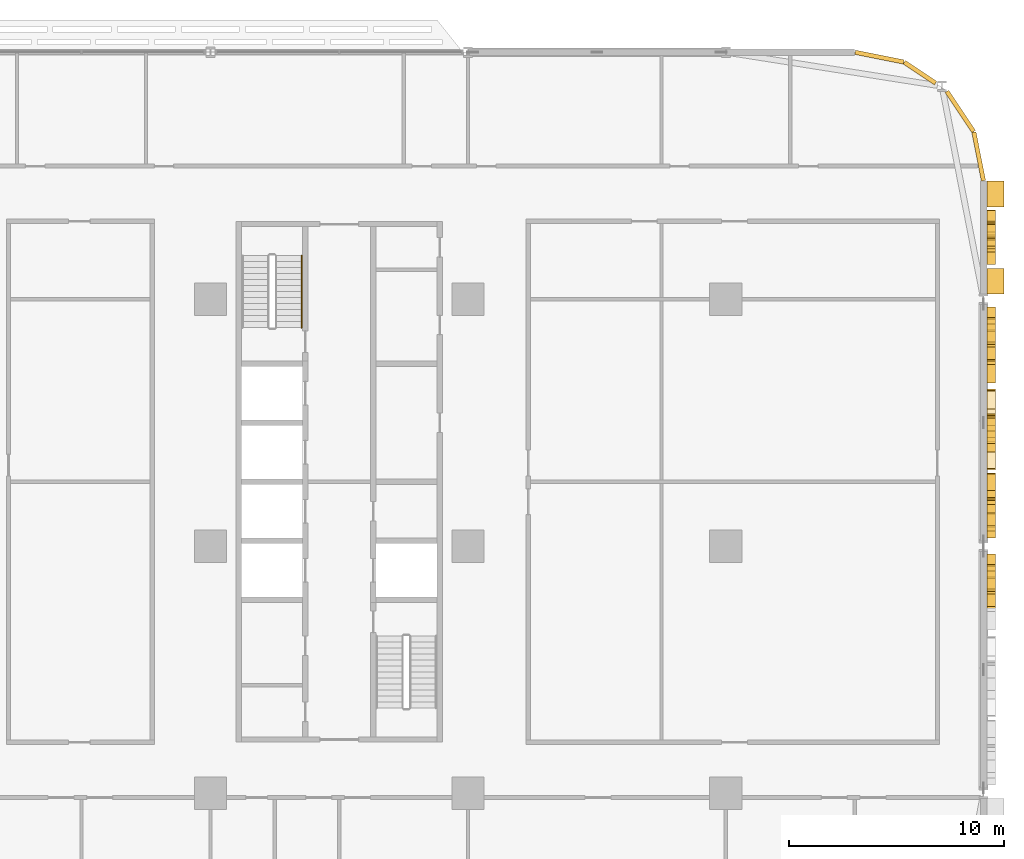
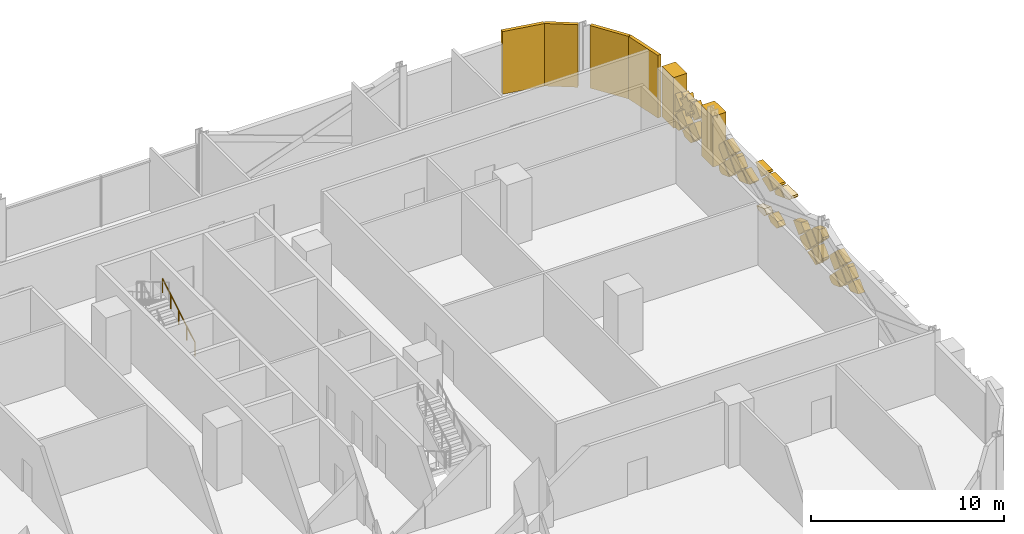
# One storey, part 30 of 30: 39 coverings, 1 railing.
"""IFC4 building model written with IfcOpenShell, lengths in metres."""

import ifcopenshell
import ifcopenshell.guid

model = None  # the IFC model being written
_history = None  # IfcOwnerHistory: only IFC2X3 demands one
_inside = {}  # id of a spatial element -> (the spatial element, [elements in it])
_under = {}  # id of a project, library or spatial element -> (it, [spatial elements below it])
_declared = {}  # id of a project -> (the project, [libraries it declares])
_typed = {}  # id of a type object -> (the type object, [elements of that type])
_made_of = {}  # id of a material, layer set ... -> (it, [elements and type objects made of it])


def new_model(schema):
    """Start an empty IFC model of exactly this schema.

    Asked for "IFC4X3", IfcOpenShell would pick the latest addendum, in which some entities
    have other attributes; the version numbers below select the first issue.
    IFC2X3 requires an IfcOwnerHistory on every rooted entity: one is made here for all.
    """
    global model, _history
    if schema == "IFC4X3":
        model = ifcopenshell.file(schema_version=(4, 3, 0, 0))
    else:
        model = ifcopenshell.file(schema=schema)
    _inside.clear()
    _under.clear()
    _declared.clear()
    _typed.clear()
    _made_of.clear()
    _history = None
    if model.schema == "IFC2X3":
        org = make("IfcOrganization", Name="unknown")
        user = make(
            "IfcPersonAndOrganization",
            ThePerson=make("IfcPerson", FamilyName="unknown"),
            TheOrganization=org,
        )
        app = make(
            "IfcApplication",
            ApplicationDeveloper=org,
            Version="unknown",
            ApplicationFullName="unknown",
            ApplicationIdentifier="unknown",
        )
        _history = make(
            "IfcOwnerHistory",
            OwningUser=user,
            OwningApplication=app,
            ChangeAction="ADDED",
            CreationDate=0,
        )
    return model


def make(cls, **values):
    """One entity of the class cls with the attributes given. An attribute that is None is left unset."""
    return model.create_entity(
        cls, **{name: value for name, value in values.items() if value is not None}
    )


def rooted(cls, **values):
    """An entity with a GlobalId (a new one), such as an element, a storey or a relation."""
    return make(cls, GlobalId=ifcopenshell.guid.new(), OwnerHistory=_history, **values)


def si_unit(unit_type, name, prefix=None):
    """IfcSIUnit, for example si_unit("LENGTHUNIT", "METRE", prefix="MILLI")."""
    return make("IfcSIUnit", UnitType=unit_type, Prefix=prefix, Name=name)


def assignment(units):
    """IfcUnitAssignment: the units of a project."""
    return None if units is None else make("IfcUnitAssignment", Units=units)


def point(xyz):
    """IfcCartesianPoint."""
    return None if xyz is None else make("IfcCartesianPoint", Coordinates=xyz)


def direction(xyz):
    """IfcDirection."""
    return None if xyz is None else make("IfcDirection", DirectionRatios=xyz)


def frame(location, z_axis=None, x_axis=None):
    """IfcAxis2Placement3D, a coordinate frame: its origin and axes. An axis left out is left unset."""
    return make(
        "IfcAxis2Placement3D",
        Location=point(location),
        Axis=direction(z_axis),
        RefDirection=direction(x_axis),
    )


def frame_2d(location, x_axis=None):
    """IfcAxis2Placement2D, a coordinate frame in the plane: its origin and x axis."""
    return make(
        "IfcAxis2Placement2D", Location=point(location), RefDirection=direction(x_axis)
    )


def origin():
    """The frame at (0, 0, 0) with its axes left unset."""
    return frame((0.0, 0.0, 0.0))


def origin_2d():
    """The frame at (0, 0) in the plane with its x axis left unset."""
    return frame_2d((0.0, 0.0))


def place(relative_to, where):
    """IfcLocalPlacement: puts the frame where relative to a parent placement (None: the world)."""
    return make(
        "IfcLocalPlacement", PlacementRelTo=relative_to, RelativePlacement=where
    )


def context(
    kind, dimensions, precision=None, world=None, true_north=None, identifier=None
):
    """IfcGeometricRepresentationContext, for example the 3D "Model" context."""
    return make(
        "IfcGeometricRepresentationContext",
        ContextIdentifier=identifier,
        ContextType=kind,
        CoordinateSpaceDimension=dimensions,
        Precision=precision,
        WorldCoordinateSystem=world,
        TrueNorth=true_north,
    )


def subcontext(parent, identifier, kind, view, scale=None):
    """IfcGeometricRepresentationSubContext, for example "Body" below "Model"."""
    return make(
        "IfcGeometricRepresentationSubContext",
        ContextIdentifier=identifier,
        ContextType=kind,
        ParentContext=parent,
        TargetScale=scale,
        TargetView=view,
    )


def project(units=None, contexts=None):
    """IfcProject with its units and contexts."""
    return rooted(
        "IfcProject",
        Name="project",
        RepresentationContexts=contexts,
        UnitsInContext=assignment(units),
    )


def spatial(cls, under=None, at=None, **own):
    """A site, building, storey or space (cls), placed at a placement, below another one or the project."""
    s = rooted(cls, ObjectPlacement=at, **own)
    if under is not None:
        _under.setdefault(under.id(), (under, []))[1].append(s)
    return s


def polyline(points):
    """IfcPolyline through the points."""
    return make("IfcPolyline", Points=[point(p) for p in points])


def profile(cls, at=None, kind="AREA", **sizes):
    """A parametric profile (cls). Its sizes go by their IFC names, for example OverallWidth=200.0."""
    return make(cls, ProfileType=kind, Position=at, **sizes)


def rectangle(**sizes):
    """IfcRectangleProfileDef."""
    return profile("IfcRectangleProfileDef", **sizes)


def circle(**sizes):
    """IfcCircleProfileDef."""
    return profile("IfcCircleProfileDef", **sizes)


def outline(outer, holes=None, kind="AREA"):
    """IfcArbitraryClosedProfileDef: a profile drawn as a closed curve; with holes, ...WithVoids."""
    if holes is None:
        return make("IfcArbitraryClosedProfileDef", ProfileType=kind, OuterCurve=outer)
    return make(
        "IfcArbitraryProfileDefWithVoids",
        ProfileType=kind,
        OuterCurve=outer,
        InnerCurves=holes,
    )


def extrude(swept, where, along, depth):
    """IfcExtrudedAreaSolid: the profile swept, set in the frame where, extruded along a direction by depth."""
    return make(
        "IfcExtrudedAreaSolid",
        SweptArea=swept,
        Position=where,
        ExtrudedDirection=direction(along),
        Depth=depth,
    )


def shape(context_of_items, identifier, shape_type, items):
    """IfcShapeRepresentation: the items that make up one representation, for example the "Body"."""
    return make(
        "IfcShapeRepresentation",
        ContextOfItems=context_of_items,
        RepresentationIdentifier=identifier,
        RepresentationType=shape_type,
        Items=items,
    )


def material(Name=None, Category=None):
    """IfcMaterial."""
    return make("IfcMaterial", Name=Name, Category=Category)


def layer(
    of_material, thickness, ventilated=None, Name=None, Category=None, Priority=None
):
    """IfcMaterialLayer: one layer of a wall or slab, of a material (None: an air gap)."""
    return make(
        "IfcMaterialLayer",
        Material=of_material,
        LayerThickness=thickness,
        IsVentilated=ventilated,
        Name=Name,
        Category=Category,
        Priority=Priority,
    )


def layer_set(layers, Name=None):
    """IfcMaterialLayerSet."""
    return make("IfcMaterialLayerSet", MaterialLayers=layers, LayerSetName=Name)


def made_of(thing, what):
    """Note that an element or type object is made of a material, layer set ...; save() writes the relation."""
    if what is not None:
        _made_of.setdefault(what.id(), (what, []))[1].append(thing)
    return thing


def type_object(cls, material=None, **own):
    """A type object (cls), such as IfcWallType, which elements share."""
    return made_of(rooted(cls, **own), material)


def element(
    cls,
    number,
    at=None,
    inside=None,
    cuts=None,
    type_object=None,
    material=None,
    context=None,
    identifier="Body",
    shape_type=None,
    held_by="IfcProductDefinitionShape",
    body=None,
    shapes=None,
    **own,
):
    """One element of the class cls, such as IfcWall. Its Tag is "e" and its number.

    at: its placement. inside: the storey or other place that contains it. cuts: it is an
    opening in that element (IfcRelVoidsElement). A single representation is given by context,
    identifier, shape_type and body (its items); several are given by shapes. held_by: the class
    of the entity that holds the representations. save() writes the other relations.
    """
    e = rooted(cls, Tag="e%d" % number, ObjectPlacement=at, **own)
    if body is not None:
        shapes = [shape(context, identifier, shape_type, body)]
    if shapes is not None:
        e.Representation = make(held_by, Representations=shapes)
    if inside is not None:
        _inside.setdefault(inside.id(), (inside, []))[1].append(e)
    if cuts is not None:
        rooted(
            "IfcRelVoidsElement", RelatingBuildingElement=cuts, RelatedOpeningElement=e
        )
    if type_object is not None:
        _typed.setdefault(type_object.id(), (type_object, []))[1].append(e)
    return made_of(e, material)


def aggregate(whole, parts):
    """IfcRelAggregates: a whole, such as a stair, and the parts it consists of."""
    return rooted("IfcRelAggregates", RelatingObject=whole, RelatedObjects=parts)


def save(model, path):
    """Write the relations noted so far, then the file.

    IfcRelAggregates (storeys below a building ...), IfcRelContainedInSpatialStructure (elements
    in a storey), IfcRelDefinesByType, IfcRelAssociatesMaterial and IfcRelDeclares: one each for
    every whole, place, type object, material and project.
    """
    for whole, parts in _under.values():
        aggregate(whole, parts)
    for where, things in _inside.values():
        rooted(
            "IfcRelContainedInSpatialStructure",
            RelatedElements=things,
            RelatingStructure=where,
        )
    for kind, things in _typed.values():
        rooted("IfcRelDefinesByType", RelatedObjects=things, RelatingType=kind)
    for what, things in _made_of.values():
        rooted("IfcRelAssociatesMaterial", RelatedObjects=things, RelatingMaterial=what)
    for by, libraries in _declared.values():
        rooted("IfcRelDeclares", RelatingContext=by, RelatedDefinitions=libraries)
    model.write(path)


model = new_model("IFC4")

# Units and contexts
model_context = context("Model", 3, precision=1e-05, world=origin(), true_north=direction((0.0, 1.0)))
body_context = subcontext(model_context, "Body", "Model", "MODEL_VIEW")
ifc_project = project(units=[si_unit("LENGTHUNIT", "METRE"), si_unit("AREAUNIT", "SQUARE_METRE"), si_unit("VOLUMEUNIT", "CUBIC_METRE"), si_unit("PLANEANGLEUNIT", "RADIAN"), si_unit("MASSUNIT", "GRAM", prefix="KILO")], contexts=[model_context])

# Site, building, storey
site_placement = place(None, origin())
site = spatial("IfcSite", under=ifc_project, at=site_placement, CompositionType="ELEMENT")
building_placement = place(site_placement, origin())
building = spatial("IfcBuilding", under=site, at=building_placement, Name="Mahtab Terrace Research Tower", CompositionType="ELEMENT")
storey_placement = place(building_placement, frame((0.0, 0.0, 50.300048828125)))
storey = spatial("IfcBuildingStorey", under=building, at=storey_placement, Name="L11", CompositionType="ELEMENT", Elevation=50.300048828125)

# Coverings
ifc_material_1 = material(Name="Black aluminium cladding panel", Category="aluminium")
ifc_layer_1 = layer(ifc_material_1, 0.199951171875)
ifc_layer_set_1 = layer_set([ifc_layer_1], Name="Black metal corner cladding 200")
covering_type_1 = type_object("IfcCoveringType", Name="Black metal corner cladding 200", PredefinedType="CLADDING", material=ifc_layer_set_1)
covering_1_placement = place(storey_placement, frame((52.911376953125, 20.2421875, 0.0), z_axis=(0.0, 0.0, 1.0), x_axis=(-0.555291490808, 0.831655794326, 0.0)))
element("IfcCovering", 1, at=covering_1_placement, inside=storey, type_object=covering_type_1, Name="Corner cladding L11 0", PredefinedType="CLADDING", context=body_context, shape_type="SweptSolid", body=[
    extrude(rectangle(XDim=2.235595703125, YDim=0.199951171875, at=origin_2d()), origin(), (0.0, 0.0, 1.0), 3.9599609375),
])
covering_2_placement = place(storey_placement, frame((51.0380859375, 22.047607421875, 0.0), z_axis=(0.0, 0.0, 1.0), x_axis=(-0.831655794326, 0.555291490808, 0.0)))
element("IfcCovering", 2, at=covering_2_placement, inside=storey, type_object=covering_type_1, Name="Corner cladding L11 1", PredefinedType="CLADDING", context=body_context, shape_type="SweptSolid", body=[
    extrude(rectangle(XDim=1.74462890625, YDim=0.199951171875, at=origin_2d()), origin(), (0.0, 0.0, 1.0), 3.9599609375),
])
for number, where, z_axis, x_axis, name in (
    (3, (49.14794921875, 22.771484375, 0.0), (0.0, 0.0, 1.0), (-0.980760981187, 0.195212442692, 0.0), "Corner cladding L11 2"),
    (4, (53.771484375, 18.14794921875, 0.0), (0.0, 0.0, 1.0), (-0.195212442692, 0.980760981187, 0.0), "Corner cladding L11 39"),
):
    element("IfcCovering", number, at=place(storey_placement, frame(where, z_axis=z_axis, x_axis=x_axis)), inside=storey, type_object=covering_type_1, Name=name, PredefinedType="CLADDING", context=body_context, shape_type="SweptSolid", body=[
        extrude(rectangle(XDim=2.30126953125, YDim=0.199951171875, at=origin_2d()), origin(), (0.0, 0.0, 1.0), 3.9599609375),
    ])
ifc_material_2 = material(Name="Bronze anodised aluminium", Category="aluminium")
ifc_layer_2 = layer(ifc_material_2, 0.39990234375)
ifc_layer_set_2 = layer_set([ifc_layer_2], Name="Mashrabiya relief panel 400")
covering_type_2 = type_object("IfcCoveringType", Name="Mashrabiya relief panel 400", PredefinedType="CLADDING", material=ifc_layer_set_2)
covering_3_placement = place(storey_placement, frame((54.14990234375, -2.81201171875, 1.6298828125), z_axis=(-1.0, 0.0, 0.0), x_axis=(0.0, 0.707255598772, -0.706957932274)))
element("IfcCovering", 5, at=covering_3_placement, inside=storey, type_object=covering_type_2, Name="Mashrabiya lattice cell L11 E36.15", PredefinedType="CLADDING", context=body_context, shape_type="SweptSolid", body=[
    extrude(outline(polyline([(0.0, 0.0), (0.8201817362875763, 0.0), (0.8202763558628046, 0.3706441343778155), (-0.00015653653229019682, 0.743705064910618), (0.0, 0.0)])), origin(), (0.0, 0.0, -1.0), 0.39990234375),
])
covering_4_placement = place(storey_placement, frame((54.14990234375, -1.58203125, 1.699951171875), z_axis=(-1.0, 0.0, 0.0), x_axis=(0.0, -0.707106781187, -0.707106781187)))
element("IfcCovering", 6, at=covering_4_placement, inside=storey, type_object=covering_type_2, Name="Mashrabiya lattice cell L11 E36.16", PredefinedType="CLADDING", context=body_context, shape_type="SweptSolid", body=[
    extrude(outline(polyline([(0.0, 0.0), (0.8203543516109556, 0.0), (0.820181718119455, 0.820181718119455), (0.1838546684481624, 0.8201817181194551), (0.0, 0.7367997417246546), (0.0, 0.0)])), origin(), (0.0, 0.0, -1.0), 0.39990234375),
])
covering_5_placement = place(storey_placement, frame((54.14990234375, -1.511962890625, 1.6298828125), z_axis=(-1.0, 0.0, 0.0), x_axis=(0.0, 0.707255598772, -0.706957932274)))
element("IfcCovering", 7, at=covering_5_placement, inside=storey, type_object=covering_type_2, Name="Mashrabiya lattice cell L11 E36.17", PredefinedType="CLADDING", context=body_context, shape_type="SweptSolid", body=[
    extrude(outline(polyline([(0.0, 0.0), (0.8201817362875763, 0.0), (0.8200090664636573, 0.8203543334390104), (-0.0003452669753531423, 0.8201816636150915), (0.0, 0.0)])), origin(), (0.0, 0.0, -1.0), 0.39990234375),
])
covering_6_placement = place(storey_placement, frame((54.14990234375, -0.931884765625, 2.349853515625), z_axis=(-1.0, 0.0, 0.0), x_axis=(0.0, -0.707255598772, -0.706957932274)))
element("IfcCovering", 8, at=covering_6_placement, inside=storey, type_object=covering_type_2, Name="Mashrabiya lattice cell L11 E36.18", PredefinedType="CLADDING", context=body_context, shape_type="SweptSolid", body=[
    extrude(outline(polyline([(0.0, 0.0), (0.8201817362875763, 0.0), (0.8203272992746595, 0.6915697516322971), (6.700403099887953e-05, 0.3183361512755756), (0.0, 0.0)])), origin(), (0.0, 0.0, -1.0), 0.39990234375),
])
covering_7_placement = place(storey_placement, frame((54.14990234375, -1.44189453125, 0.39990234375), z_axis=(-1.0, 0.0, 0.0), x_axis=(0.0, 0.706957932274, 0.707255598772)))
element("IfcCovering", 9, at=covering_7_placement, inside=storey, type_object=covering_type_2, Name="Mashrabiya lattice cell L11 E36.19", PredefinedType="CLADDING", context=body_context, shape_type="SweptSolid", body=[
    extrude(outline(polyline([(0.0, 0.0), (0.8201817362875763, 0.0), (0.820036173300493, 0.6915697516322971), (0.691224484656944, 0.8203272266021747), (0.4452218010540892, 0.8201028139690679), (0.3045551226352551, 0.6793769074751101), (0.0, 0.0)])), origin(), (0.0, 0.0, -1.0), 0.39990234375),
])
covering_8_placement = place(storey_placement, frame((54.14990234375, -0.862060546875, 1.119873046875), z_axis=(-1.0, 0.0, 0.0), x_axis=(0.0, -0.706957932274, 0.707255598772)))
element("IfcCovering", 10, at=covering_8_placement, inside=storey, type_object=covering_type_2, Name="Mashrabiya lattice cell L11 E36.20", PredefinedType="CLADDING", context=body_context, shape_type="SweptSolid", body=[
    extrude(outline(polyline([(0.0, 0.0), (0.8201817362875763, 0.0), (0.8205270032629295, 0.8201816636150915), (0.12895725163063232, 0.8203272266021746), (0.00014556298708318094, 0.6915697516322972), (0.0, 0.0)])), origin(), (0.0, 0.0, -1.0), 0.39990234375),
])
covering_9_placement = place(storey_placement, frame((54.14990234375, 0.887939453125, 1.6298828125), z_axis=(-1.0, 0.0, 0.0), x_axis=(0.0, 0.707255598772, -0.706957932274)))
element("IfcCovering", 11, at=covering_9_placement, inside=storey, type_object=covering_type_2, Name="Mashrabiya lattice cell L11 E37.1", PredefinedType="CLADDING", context=body_context, shape_type="SweptSolid", body=[
    extrude(outline(polyline([(0.0, 0.0), (0.8201817362875763, 0.0), (0.8200090664636573, 0.8203543334390104), (0.09184101544392964, 0.8202010671685369), (-0.0001532662704735177, 0.7281680510197277), (0.0, 0.0)])), origin(), (0.0, 0.0, -1.0), 0.39990234375),
])
covering_10_placement = place(storey_placement, frame((54.14990234375, 1.468017578125, 2.349853515625), z_axis=(-1.0, 0.0, 0.0), x_axis=(0.0, -0.707255598772, -0.706957932274)))
element("IfcCovering", 12, at=covering_10_placement, inside=storey, type_object=covering_type_2, Name="Mashrabiya lattice cell L11 E37.2", PredefinedType="CLADDING", context=body_context, shape_type="SweptSolid", body=[
    extrude(outline(polyline([(0.0, 0.0), (0.8201817362875763, 0.0), (0.8203350025580498, 0.7281680510197277), (0.7283407208436468, 0.8202010671685369), (0.2632661050429956, 0.8202989570055819), (5.15247917333983e-05, 0.24479428552536128), (0.0, 0.0)])), origin(), (0.0, 0.0, -1.0), 0.39990234375),
])
covering_11_placement = place(storey_placement, frame((54.14990234375, 0.9580078125, 0.39990234375), z_axis=(-1.0, 0.0, 0.0), x_axis=(0.0, 0.707106781187, 0.707106781187)))
element("IfcCovering", 13, at=covering_11_placement, inside=storey, type_object=covering_type_2, Name="Mashrabiya lattice cell L11 E37.3", PredefinedType="CLADDING", context=body_context, shape_type="SweptSolid", body=[
    extrude(outline(polyline([(0.0, 0.0), (0.8203543516109556, 0.0), (0.8203543516109556, 0.5641662502240327), (0.0, 0.1909326415996879), (0.0, 0.0)])), origin(), (0.0, 0.0, -1.0), 0.39990234375),
])
covering_12_placement = place(storey_placement, frame((54.14990234375, 1.5380859375, 2.280029296875), z_axis=(-1.0, 0.0, 0.0), x_axis=(0.0, 0.706957932274, -0.707255598772)))
element("IfcCovering", 14, at=covering_12_placement, inside=storey, type_object=covering_type_2, Name="Mashrabiya lattice cell L11 E37.4", PredefinedType="CLADDING", context=body_context, shape_type="SweptSolid", body=[
    extrude(outline(polyline([(0.0, 0.0), (0.8201817362875763, 0.0), (0.8205270032629295, 0.8201816636150915), (0.00017266982391900276, 0.8203543334390104), (0.0, 0.0)])), origin(), (0.0, 0.0, -1.0), 0.39990234375),
])
covering_13_placement = place(storey_placement, frame((54.14990234375, 1.60791015625, 1.050048828125), z_axis=(-1.0, 0.0, 0.0), x_axis=(0.0, 0.707255598772, 0.706957932274)))
element("IfcCovering", 15, at=covering_13_placement, inside=storey, type_object=covering_type_2, Name="Mashrabiya lattice cell L11 E37.5", PredefinedType="CLADDING", context=body_context, shape_type="SweptSolid", body=[
    extrude(outline(polyline([(0.0, 0.0), (0.8201817362875763, 0.0), (0.8205270032629295, 0.8201816636150915), (0.4611040819203327, 0.8202573156717833), (0.00012833960818220413, 0.6097414784736079), (0.0, 0.0)])), origin(), (0.0, 0.0, -1.0), 0.39990234375),
])
covering_14_placement = place(storey_placement, frame((54.14990234375, 3.41796875, 1.699951171875), z_axis=(-1.0, 0.0, 0.0), x_axis=(0.0, -0.707106781187, -0.707106781187)))
element("IfcCovering", 16, at=covering_14_placement, inside=storey, type_object=covering_type_2, Name="Mashrabiya lattice cell L11 E37.6", PredefinedType="CLADDING", context=body_context, shape_type="SweptSolid", body=[
    extrude(outline(polyline([(0.0, 0.0), (0.8203543516109556, 0.0), (0.820181718119455, 0.820181718119455), (0.3437132815777383, 0.820181718119455), (0.0, 0.06491019280423387), (0.0, 0.0)])), origin(), (0.0, 0.0, -1.0), 0.39990234375),
])
covering_15_placement = place(storey_placement, frame((54.14990234375, 3.55810546875, 3.0), z_axis=(-1.0, 0.0, 0.0), x_axis=(0.0, 0.707106781187, 0.707106781187)))
element("IfcCovering", 17, at=covering_15_placement, inside=storey, type_object=covering_type_2, Name="Mashrabiya lattice cell L11 E37.7", PredefinedType="CLADDING", context=body_context, shape_type="SweptSolid", body=[
    extrude(outline(polyline([(0.0, 0.0), (0.09598422127434582, 0.0), (0.8200090846279543, 0.7240248633536085), (0.820181718119455, 0.820181718119455), (0.1935221439721972, 0.8201817181194548), (-0.00017263349150062335, 0.3930864601469162), (0.0, 0.0)])), origin(), (0.0, 0.0, -1.0), 0.39990234375),
])
covering_16_placement = place(storey_placement, frame((54.14990234375, 4.7880859375, 2.929931640625), z_axis=(-1.0, 0.0, 0.0), x_axis=(0.0, 0.706957932274, -0.707255598772)))
element("IfcCovering", 18, at=covering_16_placement, inside=storey, type_object=covering_type_2, Name="Mashrabiya lattice cell L11 E37.8", PredefinedType="CLADDING", context=body_context, shape_type="SweptSolid", body=[
    extrude(outline(polyline([(0.0, 0.0), (0.8201817362875763, 0.0), (0.8202251944334953, 0.20646965126116512), (-5.0289359491528796e-05, 0.581256989343218), (0.0, 0.0)])), origin(), (0.0, 0.0, -1.0), 0.39990234375),
])
covering_17_placement = place(storey_placement, frame((54.14990234375, 4.85791015625, 0.39990234375), z_axis=(-1.0, 0.0, 0.0), x_axis=(0.0, 0.707106781187, 0.707106781187)))
element("IfcCovering", 19, at=covering_17_placement, inside=storey, type_object=covering_type_2, Name="Mashrabiya lattice cell L11 E37.9", PredefinedType="CLADDING", context=body_context, shape_type="SweptSolid", body=[
    extrude(outline(polyline([(0.0, 0.0), (0.27863045528200386, 0.0), (0.8203543516109555, 0.2461753588798869), (0.8203543516109556, 0.8203543516109556), (0.44556704156310534, 0.820181718119455), (0.00017263349150062335, 0.37478731004785026), (0.0, 0.0)])), origin(), (0.0, 0.0, -1.0), 0.39990234375),
])
covering_18_placement = place(storey_placement, frame((54.14990234375, 6.01806640625, 3.0), z_axis=(-1.0, 0.0, 0.0), x_axis=(0.0, -0.707106781187, -0.707106781187)))
element("IfcCovering", 20, at=covering_18_placement, inside=storey, type_object=covering_type_2, Name="Mashrabiya lattice cell L11 E37.10", PredefinedType="CLADDING", context=body_context, shape_type="SweptSolid", body=[
    extrude(outline(polyline([(0.0, 0.0), (0.8203543516109556, 0.0), (0.8203543516109556, 0.8203543516109556), (0.7241974968451091, 0.820181718119455), (0.0001726334915006164, 0.09615685476584643), (0.0, 0.0)])), origin(), (0.0, 0.0, -1.0), 0.39990234375),
])
covering_19_placement = place(storey_placement, frame((54.14990234375, 5.508056640625, 2.349853515625), z_axis=(-1.0, 0.0, 0.0), x_axis=(0.0, 0.706957932274, 0.707255598772)))
element("IfcCovering", 21, at=covering_19_placement, inside=storey, type_object=covering_type_2, Name="Mashrabiya lattice cell L11 E37.11", PredefinedType="CLADDING", context=body_context, shape_type="SweptSolid", body=[
    extrude(outline(polyline([(0.0, 0.0), (0.8201817362875763, 0.0), (0.8200090664636573, 0.8203543334390104), (-9.403819534983815e-05, 0.44677546610693586), (0.0, 0.0)])), origin(), (0.0, 0.0, -1.0), 0.39990234375),
])
covering_20_placement = place(storey_placement, frame((54.14990234375, 6.157958984375, 0.39990234375), z_axis=(-1.0, 0.0, 0.0), x_axis=(0.0, 0.706717940592, 0.707495408074)))
element("IfcCovering", 22, at=covering_20_placement, inside=storey, type_object=covering_type_2, Name="Mashrabiya lattice cell L11 E37.12", PredefinedType="CLADDING", context=body_context, shape_type="SweptSolid", body=[
    extrude(outline(polyline([(0.0, 0.0), (0.31402036849248416, 2.7755575615628914e-17), (0.6869754673968865, 0.8207321421350641), (0.44511607725855706, 0.8204265457861742), (-3.3406805841407206e-05, 0.3747873483179644), (0.0, 0.0)])), origin(), (0.0, 0.0, -1.0), 0.39990234375),
])
covering_21_placement = place(storey_placement, frame((54.14990234375, 7.318115234375, 3.0), z_axis=(-1.0, 0.0, 0.0), x_axis=(0.0, -0.707106781187, -0.707106781187)))
element("IfcCovering", 23, at=covering_21_placement, inside=storey, type_object=covering_type_2, Name="Mashrabiya lattice cell L11 E37.13", PredefinedType="CLADDING", context=body_context, shape_type="SweptSolid", body=[
    extrude(outline(polyline([(0.0, 0.0), (0.8203543516109556, 0.0), (0.8203543516109556, 0.8203543516109556), (0.7241974968451091, 0.820181718119455), (0.0001726334915006164, 0.09615685476584643), (0.0, 0.0)])), origin(), (0.0, 0.0, -1.0), 0.39990234375),
])
covering_22_placement = place(storey_placement, frame((54.14990234375, 7.60693359375, 1.551025390625), z_axis=(-1.0, 0.0, 0.0), x_axis=(0.0, 0.936540541173, 0.350559288481)))
element("IfcCovering", 24, at=covering_22_placement, inside=storey, type_object=covering_type_2, Name="Mashrabiya lattice cell L11 E37.14", PredefinedType="CLADDING", context=body_context, shape_type="SweptSolid", body=[
    extrude(outline(polyline([(0.0, 0.0), (0.9011827075507265, -5.551115123125783e-17), (0.9990369987717644, 0.2149356160846745), (0.2809281926081486, 0.54206054356088), (0.22389176280836892, 0.4917752034685902), (0.0, 0.0)])), origin(), (0.0, 0.0, -1.0), 0.39990234375),
])
covering_23_placement = place(storey_placement, frame((54.14990234375, 8.68798828125, 1.6298828125), z_axis=(-1.0, 0.0, 0.0), x_axis=(0.0, 0.707255598772, -0.706957932274)))
element("IfcCovering", 25, at=covering_23_placement, inside=storey, type_object=covering_type_2, Name="Mashrabiya lattice cell L11 E37.15", PredefinedType="CLADDING", context=body_context, shape_type="SweptSolid", body=[
    extrude(outline(polyline([(0.0, 0.0), (0.8201817362875763, 0.0), (0.8202763558628046, 0.3706441343778155), (-0.00015653653229019682, 0.743705064910618), (0.0, 0.0)])), origin(), (0.0, 0.0, -1.0), 0.39990234375),
])
covering_24_placement = place(storey_placement, frame((54.14990234375, 9.91796875, 1.699951171875), z_axis=(-1.0, 0.0, 0.0), x_axis=(0.0, -0.707106781187, -0.707106781187)))
element("IfcCovering", 26, at=covering_24_placement, inside=storey, type_object=covering_type_2, Name="Mashrabiya lattice cell L11 E37.16", PredefinedType="CLADDING", context=body_context, shape_type="SweptSolid", body=[
    extrude(outline(polyline([(0.0, 0.0), (0.8203543516109556, 0.0), (0.820181718119455, 0.820181718119455), (0.1838546684481624, 0.8201817181194551), (0.0, 0.7367997417246546), (0.0, 0.0)])), origin(), (0.0, 0.0, -1.0), 0.39990234375),
])
covering_25_placement = place(storey_placement, frame((54.14990234375, 9.988037109375, 1.6298828125), z_axis=(-1.0, 0.0, 0.0), x_axis=(0.0, 0.707255598772, -0.706957932274)))
element("IfcCovering", 27, at=covering_25_placement, inside=storey, type_object=covering_type_2, Name="Mashrabiya lattice cell L11 E37.17", PredefinedType="CLADDING", context=body_context, shape_type="SweptSolid", body=[
    extrude(outline(polyline([(0.0, 0.0), (0.8201817362875763, 0.0), (0.8200090664636573, 0.8203543334390104), (-0.0003452669753531423, 0.8201816636150915), (0.0, 0.0)])), origin(), (0.0, 0.0, -1.0), 0.39990234375),
])
covering_26_placement = place(storey_placement, frame((54.14990234375, 10.568115234375, 2.349853515625), z_axis=(-1.0, 0.0, 0.0), x_axis=(0.0, -0.707255598772, -0.706957932274)))
element("IfcCovering", 28, at=covering_26_placement, inside=storey, type_object=covering_type_2, Name="Mashrabiya lattice cell L11 E37.18", PredefinedType="CLADDING", context=body_context, shape_type="SweptSolid", body=[
    extrude(outline(polyline([(0.0, 0.0), (0.8201817362875763, 0.0), (0.8203272992746595, 0.6915697516322971), (6.700403099887953e-05, 0.3183361512755756), (0.0, 0.0)])), origin(), (0.0, 0.0, -1.0), 0.39990234375),
])
covering_27_placement = place(storey_placement, frame((54.14990234375, 10.05810546875, 0.39990234375), z_axis=(-1.0, 0.0, 0.0), x_axis=(0.0, 0.706957932274, 0.707255598772)))
element("IfcCovering", 29, at=covering_27_placement, inside=storey, type_object=covering_type_2, Name="Mashrabiya lattice cell L11 E37.19", PredefinedType="CLADDING", context=body_context, shape_type="SweptSolid", body=[
    extrude(outline(polyline([(0.0, 0.0), (0.8201817362875763, 0.0), (0.820036173300493, 0.6915697516322971), (0.691224484656944, 0.8203272266021747), (0.4452218010540892, 0.8201028139690679), (0.3045551226352551, 0.6793769074751101), (0.0, 0.0)])), origin(), (0.0, 0.0, -1.0), 0.39990234375),
])
covering_28_placement = place(storey_placement, frame((54.14990234375, 10.637939453125, 1.119873046875), z_axis=(-1.0, 0.0, 0.0), x_axis=(0.0, -0.706957932274, 0.707255598772)))
element("IfcCovering", 30, at=covering_28_placement, inside=storey, type_object=covering_type_2, Name="Mashrabiya lattice cell L11 E37.20", PredefinedType="CLADDING", context=body_context, shape_type="SweptSolid", body=[
    extrude(outline(polyline([(0.0, 0.0), (0.8201817362875763, 0.0), (0.8205270032629295, 0.8201816636150915), (0.12895725163063232, 0.8203272266021746), (0.00014556298708318094, 0.6915697516322972), (0.0, 0.0)])), origin(), (0.0, 0.0, -1.0), 0.39990234375),
])
covering_29_placement = place(storey_placement, frame((54.14990234375, 14.633056640625, 2.600830078125), z_axis=(-1.0, 0.0, 0.0), x_axis=(0.0, 0.924691461768, 0.380717349925)))
element("IfcCovering", 31, at=covering_29_placement, inside=storey, type_object=covering_type_2, Name="Girih star panel L11 E38.1", PredefinedType="CLADDING", context=body_context, shape_type="SweptSolid", body=[
    extrude(outline(polyline([(0.0, 0.0), (0.3783462161056796, 2.7755575615628914e-17), (0.11218136419552407, 0.26875985000170766), (0.37957345233280393, 0.5356816813818673), (0.0017584609457203249, 0.5369564946745361), (0.0014397576225531616, 0.9154355169598647), (-0.26722714380739543, 0.6490449102983011), (-0.5341489751875551, 0.9164369984355809), (-0.5354237884802239, 0.5386220070484974), (-0.9139957593373116, 0.5385290584767383), (-0.6475122041039889, 0.26963640229538155), (-0.9149042922412687, 0.0027145709152219255), (-0.5370893008541852, 0.0014397576225531339), (-0.537089300854185, -0.3769064584831264), (-0.26819664467282844, -0.11042290324980375), (-0.0011818647209096977, -0.37804074613849165), (0.0, 0.0)])), origin(), (0.0, 0.0, -1.0), 0.39990234375),
])
covering_30_placement = place(storey_placement, frame((54.14990234375, 13.68798828125, 1.6298828125), z_axis=(-1.0, 0.0, 0.0), x_axis=(0.0, 0.707255598772, -0.706957932274)))
element("IfcCovering", 32, at=covering_30_placement, inside=storey, type_object=covering_type_2, Name="Mashrabiya lattice cell L11 E38.2", PredefinedType="CLADDING", context=body_context, shape_type="SweptSolid", body=[
    extrude(outline(polyline([(0.0, 0.0), (0.8201817362875763, 0.0), (0.8200090664636573, 0.8203543334390104), (-0.0003452669753531423, 0.8201816636150915), (0.0, 0.0)])), origin(), (0.0, 0.0, -1.0), 0.39990234375),
])
covering_31_placement = place(storey_placement, frame((54.14990234375, 13.68798828125, 1.77001953125), z_axis=(-1.0, 0.0, 0.0), x_axis=(0.0, -0.707255598772, 0.706957932274)))
element("IfcCovering", 33, at=covering_31_placement, inside=storey, type_object=covering_type_2, Name="Mashrabiya lattice cell L11 E38.3", PredefinedType="CLADDING", context=body_context, shape_type="SweptSolid", body=[
    extrude(outline(polyline([(0.0, 0.0), (0.8201817362875763, 0.0), (0.8200090664636573, 0.8203543334390104), (0.5783221837164741, 0.8203034626996404), (0.5356891611900574, 0.7849046226740711), (0.3004103928088365, 0.6866266418877078), (0.39799863904182664, 0.44754979143263307), (0.39232073780327914, 0.35726127828179305), (0.34209707423800045, 0.2970016172361333), (0.2663155878507765, 0.2750612126907935), (-7.884964602361544e-05, 0.374614668258134), (0.0, 0.0)])), origin(), (0.0, 0.0, -1.0), 0.39990234375),
])
covering_32_placement = place(storey_placement, frame((54.14990234375, 13.758056640625, 0.39990234375), z_axis=(-1.0, 0.0, 0.0), x_axis=(0.0, 0.706957932274, 0.707255598772)))
element("IfcCovering", 34, at=covering_32_placement, inside=storey, type_object=covering_type_2, Name="Mashrabiya lattice cell L11 E38.4", PredefinedType="CLADDING", context=body_context, shape_type="SweptSolid", body=[
    extrude(outline(polyline([(0.0, 0.0), (0.8201817362875763, 0.0), (0.8200090664636573, 0.8203543334390104), (0.44539439820552335, 0.8202754837929869), (-7.884964602361544e-05, 0.374614668258134), (0.0, 0.0)])), origin(), (0.0, 0.0, -1.0), 0.39990234375),
])
covering_33_placement = place(storey_placement, frame((54.14990234375, 15.568115234375, 1.050048828125), z_axis=(-1.0, 0.0, 0.0), x_axis=(0.0, -0.707106781187, -0.707106781187)))
element("IfcCovering", 35, at=covering_33_placement, inside=storey, type_object=covering_type_2, Name="Mashrabiya lattice cell L11 E38.5", PredefinedType="CLADDING", context=body_context, shape_type="SweptSolid", body=[
    extrude(outline(polyline([(0.0, 0.0), (0.8203543516109556, 0.0), (0.8203543516109556, 0.8203543516109556), (0.0143285797945516, 0.820181718119455), (0.0001726334915005956, 0.8074068397484089), (0.0, 0.0)])), origin(), (0.0, 0.0, -1.0), 0.39990234375),
])
covering_34_placement = place(storey_placement, frame((54.14990234375, 15.05810546875, 0.39990234375), z_axis=(-1.0, 0.0, 0.0), x_axis=(0.0, 0.706957932274, 0.707255598772)))
element("IfcCovering", 36, at=covering_34_placement, inside=storey, type_object=covering_type_2, Name="Mashrabiya lattice cell L11 E38.6", PredefinedType="CLADDING", context=body_context, shape_type="SweptSolid", body=[
    extrude(outline(polyline([(0.0, 0.0), (0.8201817362875763, 0.0), (0.8201736696417619, 0.03832463426419619), (0.24172975951322367, 0.6165250915686062), (-7.884964602361544e-05, 0.374614668258134), (0.0, 0.0)])), origin(), (0.0, 0.0, -1.0), 0.39990234375),
])
covering_35_placement = place(storey_placement, frame((54.14990234375, 15.637939453125, 1.119873046875), z_axis=(-1.0, 0.0, 0.0), x_axis=(0.0, -0.707106781187, 0.707106781187)))
element("IfcCovering", 37, at=covering_35_placement, inside=storey, type_object=covering_type_2, Name="Mashrabiya lattice cell L11 E38.7", PredefinedType="CLADDING", context=body_context, shape_type="SweptSolid", body=[
    extrude(outline(polyline([(0.0, 0.0), (0.7778865127018025, 0.0), (0.8203543516109556, 0.08493567781830602), (0.8203543516109556, 0.8203543516109556), (0.7820297164978175, 0.8203543516109556), (0.0, 0.03832463511313808), (0.0, 0.0)])), origin(), (0.0, 0.0, -1.0), 0.39990234375),
])
ifc_material_3 = material(Name="Glazed ceramic tile cladding", Category="masonry")
ifc_layer_3 = layer(ifc_material_3, 0.800048828125)
ifc_layer_set_3 = layer_set([ifc_layer_3], Name="Pishtaq frame pier 800")
covering_type_3 = type_object("IfcCoveringType", Name="Pishtaq frame pier 800", PredefinedType="CLADDING", material=ifc_layer_set_3)
for number, where, z_axis, x_axis, name in (
    (38, (54.550048828125, 12.337890625, 0.00048828125), (0.0, 0.0, 1.0), (0.0, 1.0, 0.0), "Pishtaq frame pier 38a"),
    (39, (54.550048828125, 16.39990234375, 0.00048828125), (0.0, 0.0, 1.0), (0.0, 1.0, 0.0), "Pishtaq frame pier 38b"),
):
    element("IfcCovering", number, at=place(storey_placement, frame(where, z_axis=z_axis, x_axis=x_axis)), inside=storey, type_object=covering_type_3, Name=name, PredefinedType="CLADDING", context=body_context, shape_type="SweptSolid", body=[
        extrude(rectangle(XDim=1.199951171875, YDim=0.800048828125, at=origin_2d()), origin(), (0.0, 0.0, 1.0), 3.202880859375),
    ])

# Railing
ifc_material_4 = material(Name="Stainless steel AISI 304", Category="steel")
railing_type = type_object("IfcRailingType", Name="Stair handrail 900", PredefinedType="HANDRAIL", material=ifc_material_4)
railing_placement = place(storey_placement, frame((22.25, 10.175048828125, 0.165283203125)))
element("IfcRailing", 40, at=railing_placement, inside=storey, type_object=railing_type, Name="L11 ST3 stair handrail 1", PredefinedType="HANDRAIL", context=body_context, shape_type="SweptSolid", body=[
    extrude(circle(Radius=0.02392578125, at=origin_2d()), frame((0.0, 0.0, 0.8759765625), z_axis=(0.0, 0.861011212953, 0.508585972249), x_axis=(-1.0, 0.0, 0.0)), (0.0, 0.0, 1.0), 3.90234375),
    extrude(circle(Radius=0.02099609375, at=origin_2d()), origin(), (0.0, 0.0, 1.0), 0.851806640625),
    extrude(circle(Radius=0.02099609375, at=origin_2d()), frame((0.0, 0.83984375, 0.49609375)), (0.0, 0.0, 1.0), 0.851806640625),
    extrude(circle(Radius=0.02099609375, at=origin_2d()), frame((0.0, 1.679931640625, 0.9921875)), (0.0, 0.0, 1.0), 0.851806640625),
    extrude(circle(Radius=0.02099609375, at=origin_2d()), frame((0.0, 2.52001953125, 1.488525390625)), (0.0, 0.0, 1.0), 0.851806640625),
    extrude(circle(Radius=0.02099609375, at=origin_2d()), frame((0.0, 3.35986328125, 1.984619140625)), (0.0, 0.0, 1.0), 0.851806640625),
])

save(model, "model.ifc")
